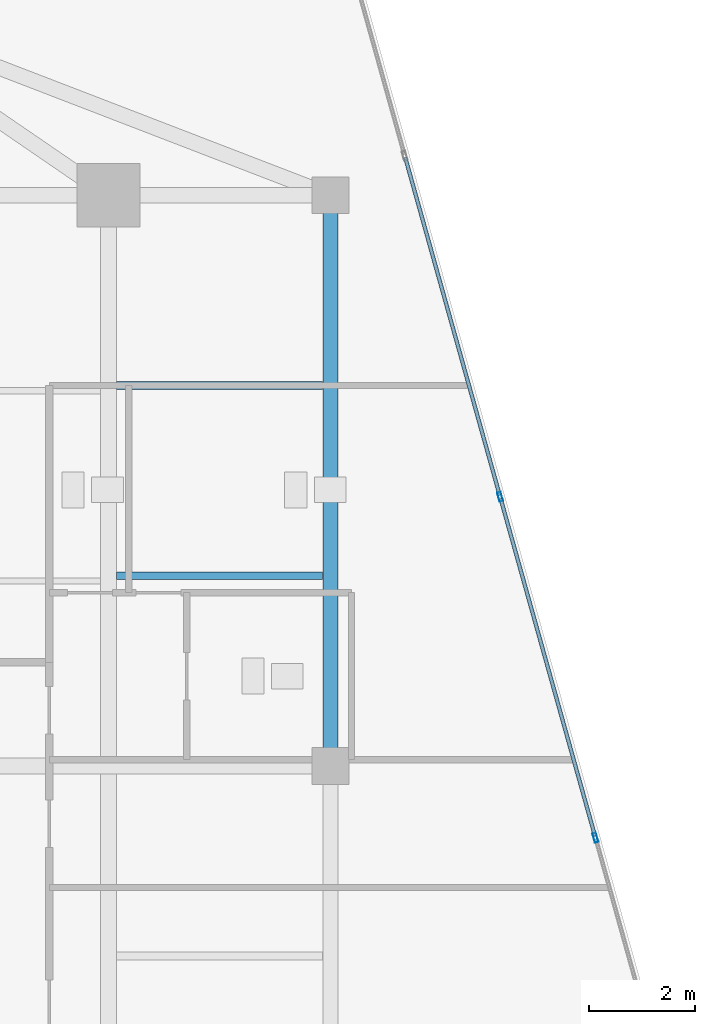
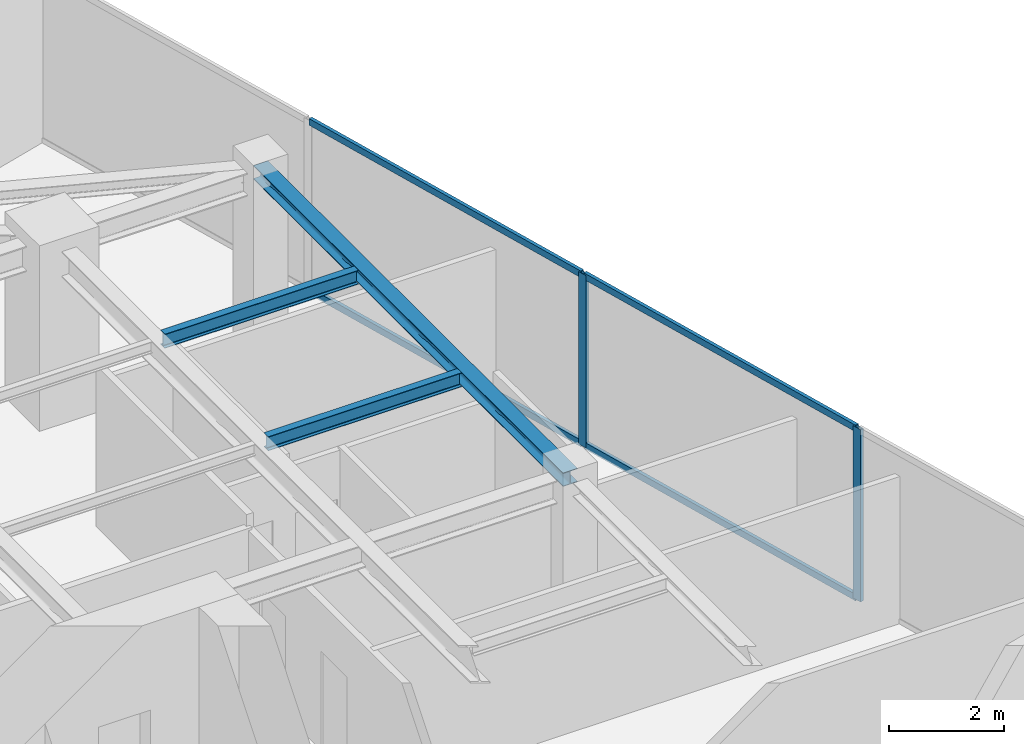
# One storey, part 11 of 20: 6 members, 3 beams, 1 element without a shape of its own.
"""IFC4 building model written with IfcOpenShell, lengths in metres."""

import ifcopenshell
import ifcopenshell.guid

model = None  # the IFC model being written
_history = None  # IfcOwnerHistory: only IFC2X3 demands one
_inside = {}  # id of a spatial element -> (the spatial element, [elements in it])
_under = {}  # id of a project, library or spatial element -> (it, [spatial elements below it])
_declared = {}  # id of a project -> (the project, [libraries it declares])
_typed = {}  # id of a type object -> (the type object, [elements of that type])
_made_of = {}  # id of a material, layer set ... -> (it, [elements and type objects made of it])


def new_model(schema):
    """Start an empty IFC model of exactly this schema.

    Asked for "IFC4X3", IfcOpenShell would pick the latest addendum, in which some entities
    have other attributes; the version numbers below select the first issue.
    IFC2X3 requires an IfcOwnerHistory on every rooted entity: one is made here for all.
    """
    global model, _history
    if schema == "IFC4X3":
        model = ifcopenshell.file(schema_version=(4, 3, 0, 0))
    else:
        model = ifcopenshell.file(schema=schema)
    _inside.clear()
    _under.clear()
    _declared.clear()
    _typed.clear()
    _made_of.clear()
    _history = None
    if model.schema == "IFC2X3":
        org = make("IfcOrganization", Name="unknown")
        user = make(
            "IfcPersonAndOrganization",
            ThePerson=make("IfcPerson", FamilyName="unknown"),
            TheOrganization=org,
        )
        app = make(
            "IfcApplication",
            ApplicationDeveloper=org,
            Version="unknown",
            ApplicationFullName="unknown",
            ApplicationIdentifier="unknown",
        )
        _history = make(
            "IfcOwnerHistory",
            OwningUser=user,
            OwningApplication=app,
            ChangeAction="ADDED",
            CreationDate=0,
        )
    return model


def make(cls, **values):
    """One entity of the class cls with the attributes given. An attribute that is None is left unset."""
    return model.create_entity(
        cls, **{name: value for name, value in values.items() if value is not None}
    )


def rooted(cls, **values):
    """An entity with a GlobalId (a new one), such as an element, a storey or a relation."""
    return make(cls, GlobalId=ifcopenshell.guid.new(), OwnerHistory=_history, **values)


def si_unit(unit_type, name, prefix=None):
    """IfcSIUnit, for example si_unit("LENGTHUNIT", "METRE", prefix="MILLI")."""
    return make("IfcSIUnit", UnitType=unit_type, Prefix=prefix, Name=name)


def assignment(units):
    """IfcUnitAssignment: the units of a project."""
    return None if units is None else make("IfcUnitAssignment", Units=units)


def point(xyz):
    """IfcCartesianPoint."""
    return None if xyz is None else make("IfcCartesianPoint", Coordinates=xyz)


def direction(xyz):
    """IfcDirection."""
    return None if xyz is None else make("IfcDirection", DirectionRatios=xyz)


def frame(location, z_axis=None, x_axis=None):
    """IfcAxis2Placement3D, a coordinate frame: its origin and axes. An axis left out is left unset."""
    return make(
        "IfcAxis2Placement3D",
        Location=point(location),
        Axis=direction(z_axis),
        RefDirection=direction(x_axis),
    )


def frame_2d(location, x_axis=None):
    """IfcAxis2Placement2D, a coordinate frame in the plane: its origin and x axis."""
    return make(
        "IfcAxis2Placement2D", Location=point(location), RefDirection=direction(x_axis)
    )


def origin():
    """The frame at (0, 0, 0) with its axes left unset."""
    return frame((0.0, 0.0, 0.0))


def origin_2d():
    """The frame at (0, 0) in the plane with its x axis left unset."""
    return frame_2d((0.0, 0.0))


def place(relative_to, where):
    """IfcLocalPlacement: puts the frame where relative to a parent placement (None: the world)."""
    return make(
        "IfcLocalPlacement", PlacementRelTo=relative_to, RelativePlacement=where
    )


def context(
    kind, dimensions, precision=None, world=None, true_north=None, identifier=None
):
    """IfcGeometricRepresentationContext, for example the 3D "Model" context."""
    return make(
        "IfcGeometricRepresentationContext",
        ContextIdentifier=identifier,
        ContextType=kind,
        CoordinateSpaceDimension=dimensions,
        Precision=precision,
        WorldCoordinateSystem=world,
        TrueNorth=true_north,
    )


def subcontext(parent, identifier, kind, view, scale=None):
    """IfcGeometricRepresentationSubContext, for example "Body" below "Model"."""
    return make(
        "IfcGeometricRepresentationSubContext",
        ContextIdentifier=identifier,
        ContextType=kind,
        ParentContext=parent,
        TargetScale=scale,
        TargetView=view,
    )


def project(units=None, contexts=None):
    """IfcProject with its units and contexts."""
    return rooted(
        "IfcProject",
        Name="project",
        RepresentationContexts=contexts,
        UnitsInContext=assignment(units),
    )


def spatial(cls, under=None, at=None, **own):
    """A site, building, storey or space (cls), placed at a placement, below another one or the project."""
    s = rooted(cls, ObjectPlacement=at, **own)
    if under is not None:
        _under.setdefault(under.id(), (under, []))[1].append(s)
    return s


def profile(cls, at=None, kind="AREA", **sizes):
    """A parametric profile (cls). Its sizes go by their IFC names, for example OverallWidth=200.0."""
    return make(cls, ProfileType=kind, Position=at, **sizes)


def hollow_rectangle(**sizes):
    """IfcRectangleHollowProfileDef."""
    return profile("IfcRectangleHollowProfileDef", **sizes)


def i_section(**sizes):
    """IfcIShapeProfileDef."""
    return profile("IfcIShapeProfileDef", **sizes)


def extrude(swept, where, along, depth):
    """IfcExtrudedAreaSolid: the profile swept, set in the frame where, extruded along a direction by depth."""
    return make(
        "IfcExtrudedAreaSolid",
        SweptArea=swept,
        Position=where,
        ExtrudedDirection=direction(along),
        Depth=depth,
    )


def shape(context_of_items, identifier, shape_type, items):
    """IfcShapeRepresentation: the items that make up one representation, for example the "Body"."""
    return make(
        "IfcShapeRepresentation",
        ContextOfItems=context_of_items,
        RepresentationIdentifier=identifier,
        RepresentationType=shape_type,
        Items=items,
    )


def source(mapping_origin, context_of_items, identifier, shape_type, items):
    """IfcRepresentationMap: a shape defined once, which mapped items show again and again."""
    return make(
        "IfcRepresentationMap",
        MappingOrigin=mapping_origin,
        MappedRepresentation=shape(context_of_items, identifier, shape_type, items),
    )


def transform(
    local_origin,
    x_axis=None,
    y_axis=None,
    z_axis=None,
    scale=None,
    scale2=None,
    scale3=None,
    uniform=True,
):
    """IfcCartesianTransformationOperator3D, or its non-uniform kind. x_axis, y_axis, z_axis: its Axis1, 2, 3."""
    if uniform:
        return make(
            "IfcCartesianTransformationOperator3D",
            Axis1=direction(x_axis),
            Axis2=direction(y_axis),
            LocalOrigin=point(local_origin),
            Scale=scale,
            Axis3=direction(z_axis),
        )
    return make(
        "IfcCartesianTransformationOperator3DnonUniform",
        Axis1=direction(x_axis),
        Axis2=direction(y_axis),
        LocalOrigin=point(local_origin),
        Scale=scale,
        Axis3=direction(z_axis),
        Scale2=scale2,
        Scale3=scale3,
    )


def mapped(mapping_source, mapping_target):
    """IfcMappedItem: shows the shape of a source again, moved by a transform."""
    return make(
        "IfcMappedItem", MappingSource=mapping_source, MappingTarget=mapping_target
    )


def material(Name=None, Category=None):
    """IfcMaterial."""
    return make("IfcMaterial", Name=Name, Category=Category)


def material_profile(
    of_material, cross_section, Name=None, Category=None, Priority=None
):
    """IfcMaterialProfile: a cross section and its material."""
    return make(
        "IfcMaterialProfile",
        Name=Name,
        Material=of_material,
        Profile=cross_section,
        Priority=Priority,
        Category=Category,
    )


def profile_set(profiles, Name=None, composite=None):
    """IfcMaterialProfileSet."""
    return make(
        "IfcMaterialProfileSet",
        Name=Name,
        MaterialProfiles=profiles,
        CompositeProfile=composite,
    )


def made_of(thing, what):
    """Note that an element or type object is made of a material, layer set ...; save() writes the relation."""
    if what is not None:
        _made_of.setdefault(what.id(), (what, []))[1].append(thing)
    return thing


def type_object(cls, material=None, **own):
    """A type object (cls), such as IfcWallType, which elements share."""
    return made_of(rooted(cls, **own), material)


def type_shapes(of_type, sources):
    """Give a type object the sources (RepresentationMaps) that its elements show as mapped items."""
    of_type.RepresentationMaps = sources


def element(
    cls,
    number,
    at=None,
    inside=None,
    cuts=None,
    type_object=None,
    material=None,
    context=None,
    identifier="Body",
    shape_type=None,
    held_by="IfcProductDefinitionShape",
    body=None,
    shapes=None,
    **own,
):
    """One element of the class cls, such as IfcWall. Its Tag is "e" and its number.

    at: its placement. inside: the storey or other place that contains it. cuts: it is an
    opening in that element (IfcRelVoidsElement). A single representation is given by context,
    identifier, shape_type and body (its items); several are given by shapes. held_by: the class
    of the entity that holds the representations. save() writes the other relations.
    """
    e = rooted(cls, Tag="e%d" % number, ObjectPlacement=at, **own)
    if body is not None:
        shapes = [shape(context, identifier, shape_type, body)]
    if shapes is not None:
        e.Representation = make(held_by, Representations=shapes)
    if inside is not None:
        _inside.setdefault(inside.id(), (inside, []))[1].append(e)
    if cuts is not None:
        rooted(
            "IfcRelVoidsElement", RelatingBuildingElement=cuts, RelatedOpeningElement=e
        )
    if type_object is not None:
        _typed.setdefault(type_object.id(), (type_object, []))[1].append(e)
    return made_of(e, material)


def aggregate(whole, parts):
    """IfcRelAggregates: a whole, such as a stair, and the parts it consists of."""
    return rooted("IfcRelAggregates", RelatingObject=whole, RelatedObjects=parts)


def save(model, path):
    """Write the relations noted so far, then the file.

    IfcRelAggregates (storeys below a building ...), IfcRelContainedInSpatialStructure (elements
    in a storey), IfcRelDefinesByType, IfcRelAssociatesMaterial and IfcRelDeclares: one each for
    every whole, place, type object, material and project.
    """
    for whole, parts in _under.values():
        aggregate(whole, parts)
    for where, things in _inside.values():
        rooted(
            "IfcRelContainedInSpatialStructure",
            RelatedElements=things,
            RelatingStructure=where,
        )
    for kind, things in _typed.values():
        rooted("IfcRelDefinesByType", RelatedObjects=things, RelatingType=kind)
    for what, things in _made_of.values():
        rooted("IfcRelAssociatesMaterial", RelatedObjects=things, RelatingMaterial=what)
    for by, libraries in _declared.values():
        rooted("IfcRelDeclares", RelatingContext=by, RelatedDefinitions=libraries)
    model.write(path)


model = new_model("IFC4")

# Units and contexts
model_context = context("Model", 3, precision=1e-05, world=origin(), true_north=direction((0.0, 1.0)))
body_context = subcontext(model_context, "Body", "Model", "MODEL_VIEW")
ifc_project = project(units=[si_unit("LENGTHUNIT", "METRE"), si_unit("AREAUNIT", "SQUARE_METRE"), si_unit("VOLUMEUNIT", "CUBIC_METRE"), si_unit("PLANEANGLEUNIT", "RADIAN"), si_unit("MASSUNIT", "GRAM", prefix="KILO")], contexts=[model_context])

# Site, building, storey
site_placement = place(None, origin())
site = spatial("IfcSite", under=ifc_project, at=site_placement, CompositionType="ELEMENT")
building_placement = place(site_placement, origin())
building = spatial("IfcBuilding", under=site, at=building_placement, Name="Krantzveldt Concourse Tower", CompositionType="ELEMENT")
storey_placement = place(building_placement, frame((0.0, 0.0, 351.39990234375)))
storey = spatial("IfcBuildingStorey", under=building, at=storey_placement, Name="L86", CompositionType="ELEMENT", Elevation=351.39990234375)

# Beams
ifc_material_1 = material(Name="Steel S355JR", Category="steel")
ifc_material_profile_1 = material_profile(ifc_material_1, i_section(OverallWidth=0.2900390625, OverallDepth=0.2900390625, WebThickness=0.008544921875, FlangeThickness=0.013916015625, FilletRadius=0.027099609375, at=origin_2d()), Name="Steel S355JR", Category="steel")
ifc_profile_set_1 = profile_set([ifc_material_profile_1], Name="Steel S355JR - HEA 300")
beam_type_1 = type_object("IfcBeamType", Name="BM-SP-HEA300", PredefinedType="SPANDREL", material=ifc_profile_set_1)
shared_shape_1 = source(origin(), body_context, "Body", "SweptSolid", [
    extrude(i_section(OverallWidth=0.2900390625, OverallDepth=0.2900390625, WebThickness=0.008544921875, FlangeThickness=0.013916015625, FilletRadius=0.027099609375, at=origin_2d()), origin(), (0.0, 0.0, 1.0), 10.800048828125),
])
type_shapes(beam_type_1, [shared_shape_1])
beam_placement = place(storey_placement, frame((51.0, 37.5, 3.525146484375), z_axis=(0.0, -1.0, 0.0), x_axis=(1.0, 0.0, 0.0)))
element("IfcBeam", 1, at=beam_placement, inside=storey, type_object=beam_type_1, Name="L86 Tower Girder SP-R06", PredefinedType="SPANDREL", context=body_context, shape_type="MappedRepresentation", body=[
    mapped(shared_shape_1, transform((0.0, 0.0, 0.0), x_axis=(1.0, 0.0, 0.0), y_axis=(0.0, 1.0, 0.0), z_axis=(0.0, 0.0, 1.0), scale=1.0)),
])
ifc_material_profile_2 = material_profile(ifc_material_1, i_section(OverallWidth=0.14990234375, OverallDepth=0.300048828125, WebThickness=0.007080078125, FlangeThickness=0.0107421875, FilletRadius=0.014892578125, at=origin_2d()), Name="Steel S355JR", Category="steel")
ifc_profile_set_2 = profile_set([ifc_material_profile_2], Name="Steel S355JR - IPE 300")
beam_type_2 = type_object("IfcBeamType", Name="BM-J-IPE300", PredefinedType="JOIST", material=ifc_profile_set_2)
shared_shape_2 = source(origin(), body_context, "Body", "SweptSolid", [
    extrude(i_section(OverallWidth=0.14990234375, OverallDepth=0.300048828125, WebThickness=0.007080078125, FlangeThickness=0.0107421875, FilletRadius=0.014892578125, at=origin_2d()), origin(), (0.0, 0.0, 1.0), 3.900146484375),
])
type_shapes(beam_type_2, [shared_shape_2])
for number, where, z_axis, x_axis, name in (
    (2, (46.949951171875, 30.300048828125, 3.52001953125), (1.0, 0.0, 0.0), (0.0, 1.0, 0.0), "L86 Secondary Floor Joist JE-3"),
    (3, (46.949951171875, 33.89990234375, 3.52001953125), (1.0, 0.0, 0.0), (0.0, 1.0, 0.0), "L86 Secondary Floor Joist JE-4"),
):
    element("IfcBeam", number, at=place(storey_placement, frame(where, z_axis=z_axis, x_axis=x_axis)), inside=storey, type_object=beam_type_2, Name=name, PredefinedType="JOIST", context=body_context, shape_type="MappedRepresentation", body=[
        mapped(shared_shape_2, transform((0.0, 0.0, 0.0), x_axis=(1.0, 0.0, 0.0), y_axis=(0.0, 1.0, 0.0), z_axis=(0.0, 0.0, 1.0), scale=1.0)),
    ])

# Curtain wall, members
ifc_material_2 = material(Name="Anodised aluminium 6063-T6", Category="aluminium")
curtain_wall_type = type_object("IfcCurtainWallType", Name="CW4", PredefinedType="USERDEFINED", material=ifc_material_2)
curtain_wall_placement = place(storey_placement, origin())
curtain_wall = element("IfcCurtainWall", 4, at=curtain_wall_placement, inside=storey, type_object=curtain_wall_type, Name="CW-L86-F10", ObjectType="UNITISED CURTAIN WALL", PredefinedType="USERDEFINED")
ifc_material_profile_3 = material_profile(ifc_material_2, hollow_rectangle(XDim=0.070068359375, YDim=0.179931640625, WallThickness=0.0048828125, at=origin_2d()), Name="Anodised aluminium 6063-T6", Category="aluminium")
ifc_profile_set_3 = profile_set([ifc_material_profile_3], Name="Anodised aluminium 6063-T6 - ALU-MULL 180x70x5")
member_type_1 = type_object("IfcMemberType", Name="CW-MUL-180", PredefinedType="MULLION", material=ifc_profile_set_3)
shared_shape_3 = source(origin(), body_context, "Body", "SweptSolid", [
    extrude(hollow_rectangle(XDim=0.070068359375, YDim=0.179931640625, WallThickness=0.0048828125, at=origin_2d()), origin(), (0.0, 0.0, 1.0), 3.670166015625),
])
type_shapes(member_type_1, [shared_shape_3])
member_1_placement = place(storey_placement, frame((56.015869140625, 25.3408203125, 0.0), z_axis=(0.0, 0.0, 1.0), x_axis=(-0.963045170968, -0.269339931454, 0.0)))
member_1 = element("IfcMember", 5, at=member_1_placement, type_object=member_type_1, Name="CW-Z56 mullion 2", PredefinedType="MULLION", context=body_context, shape_type="MappedRepresentation", body=[
    mapped(shared_shape_3, transform((0.0, 0.0, 0.0), x_axis=(1.0, 0.0, 0.0), y_axis=(0.0, 1.0, 0.0), z_axis=(0.0, 0.0, 1.0), scale=1.0)),
])
member_2_placement = place(storey_placement, frame((54.211181640625, 31.793212890625, 0.0), z_axis=(0.0, 0.0, 1.0), x_axis=(-0.963045170968, -0.269339931454, 0.0)))
member_2 = element("IfcMember", 6, at=member_2_placement, type_object=member_type_1, Name="CW-Z56 mullion 3", PredefinedType="MULLION", context=body_context, shape_type="MappedRepresentation", body=[
    mapped(shared_shape_3, transform((0.0, 0.0, 0.0), x_axis=(1.0, 0.0, 0.0), y_axis=(0.0, 1.0, 0.0), z_axis=(0.0, 0.0, 1.0), scale=1.0)),
])
ifc_material_profile_4 = material_profile(ifc_material_2, hollow_rectangle(XDim=0.070068359375, YDim=0.139892578125, WallThickness=0.0048828125, at=origin_2d()), Name="Anodised aluminium 6063-T6", Category="aluminium")
ifc_profile_set_4 = profile_set([ifc_material_profile_4], Name="Anodised aluminium 6063-T6 - ALU-TRAN 140x70x5")
member_type_2 = type_object("IfcMemberType", Name="CW-TRN-150", PredefinedType="USERDEFINED", material=ifc_profile_set_4)
shared_shape_4 = source(origin(), body_context, "Body", "SweptSolid", [
    extrude(hollow_rectangle(XDim=0.070068359375, YDim=0.139892578125, WallThickness=0.0048828125, at=origin_2d()), origin(), (0.0, 0.0, 1.0), 6.6298828125),
])
type_shapes(member_type_2, [shared_shape_4])
member_3_placement = place(storey_placement, frame((56.00634765625, 25.37451171875, 0.03515625), z_axis=(-0.269328056819, 0.963048491931, 0.0), x_axis=(-0.963048491931, -0.269328056819, 0.0)))
member_3 = element("IfcMember", 7, at=member_3_placement, type_object=member_type_2, Name="CW-Z56 transom 2.1", ObjectType="TRANSOM", PredefinedType="USERDEFINED", context=body_context, shape_type="MappedRepresentation", body=[
    mapped(shared_shape_4, transform((0.0, 0.0, 0.0), x_axis=(1.0, 0.0, 0.0), y_axis=(0.0, 1.0, 0.0), z_axis=(0.0, 0.0, 1.0), scale=1.0)),
])
member_4_placement = place(storey_placement, frame((56.00634765625, 25.37451171875, 3.635009765625), z_axis=(-0.269328056819, 0.963048491931, 0.0), x_axis=(-0.963048491931, -0.269328056819, 0.0)))
member_4 = element("IfcMember", 8, at=member_4_placement, type_object=member_type_2, Name="CW-Z56 transom 2.2", ObjectType="TRANSOM", PredefinedType="USERDEFINED", context=body_context, shape_type="MappedRepresentation", body=[
    mapped(shared_shape_4, transform((0.0, 0.0, 0.0), x_axis=(1.0, 0.0, 0.0), y_axis=(0.0, 1.0, 0.0), z_axis=(0.0, 0.0, 1.0), scale=1.0)),
])
member_5_placement = place(storey_placement, frame((54.20166015625, 31.826904296875, 0.03515625), z_axis=(-0.269328056819, 0.963048491931, 0.0), x_axis=(-0.963048491931, -0.269328056819, 0.0)))
member_5 = element("IfcMember", 9, at=member_5_placement, type_object=member_type_2, Name="CW-Z56 transom 3.1", ObjectType="TRANSOM", PredefinedType="USERDEFINED", context=body_context, shape_type="MappedRepresentation", body=[
    mapped(shared_shape_4, transform((0.0, 0.0, 0.0), x_axis=(1.0, 0.0, 0.0), y_axis=(0.0, 1.0, 0.0), z_axis=(0.0, 0.0, 1.0), scale=1.0)),
])
member_6_placement = place(storey_placement, frame((54.20166015625, 31.826904296875, 3.635009765625), z_axis=(-0.269328056819, 0.963048491931, 0.0), x_axis=(-0.963048491931, -0.269328056819, 0.0)))
member_6 = element("IfcMember", 10, at=member_6_placement, type_object=member_type_2, Name="CW-Z56 transom 3.2", ObjectType="TRANSOM", PredefinedType="USERDEFINED", context=body_context, shape_type="MappedRepresentation", body=[
    mapped(shared_shape_4, transform((0.0, 0.0, 0.0), x_axis=(1.0, 0.0, 0.0), y_axis=(0.0, 1.0, 0.0), z_axis=(0.0, 0.0, 1.0), scale=1.0)),
])
aggregate(curtain_wall, [member_1, member_2, member_3, member_4, member_5, member_6])

save(model, "model.ifc")
